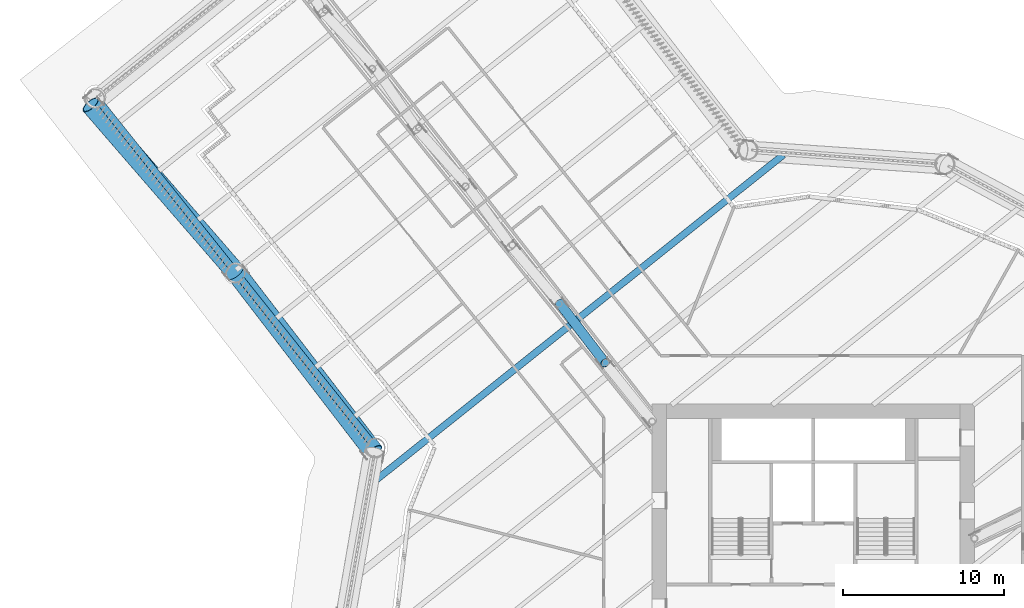
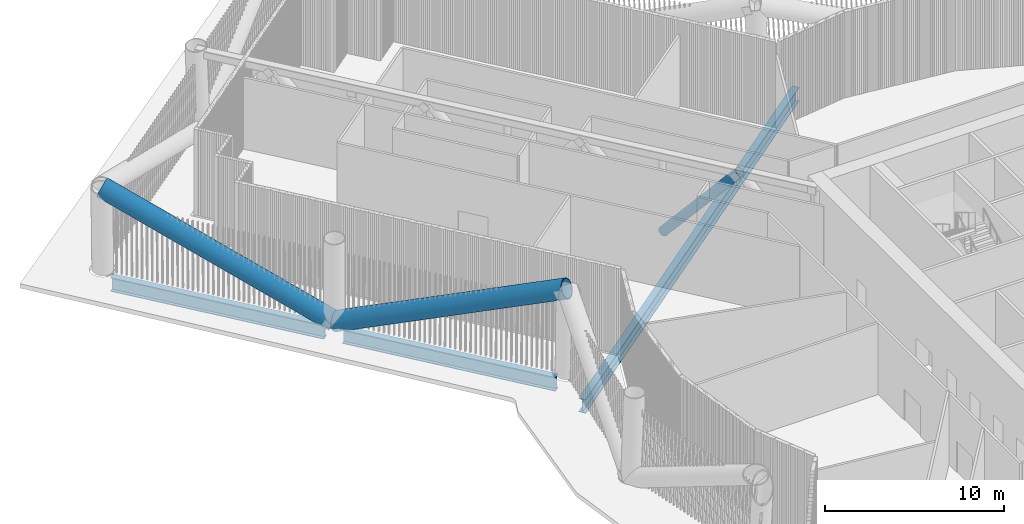
# One storey, part 9 of 48: 3 beams, 3 members.
"""IFC4 building model written with IfcOpenShell, lengths in metres."""

from ifc_helpers import new_model, si_unit, direction, frame, origin, origin_2d, place, context, subcontext, project, spatial, hollow_circle, i_section, extrude, material, material_profile, profile_set, type_object, element, save


model = new_model("IFC4")

# Units and contexts
model_context = context("Model", 3, precision=1e-05, world=origin(), true_north=direction((0.0, 1.0)))
body_context = subcontext(model_context, "Body", "Model", "MODEL_VIEW")
ifc_project = project(units=[si_unit("LENGTHUNIT", "METRE"), si_unit("AREAUNIT", "SQUARE_METRE"), si_unit("VOLUMEUNIT", "CUBIC_METRE"), si_unit("PLANEANGLEUNIT", "RADIAN"), si_unit("MASSUNIT", "GRAM", prefix="KILO")], contexts=[model_context])

# Site, building, storey
site_placement = place(None, origin())
site = spatial("IfcSite", under=ifc_project, at=site_placement, CompositionType="ELEMENT")
building_placement = place(site_placement, origin())
building = spatial("IfcBuilding", under=site, at=building_placement, Name="Tarsis Ring Headquarters", CompositionType="ELEMENT")
storey_placement = place(building_placement, frame((0.0, 0.0, 34.0)))
storey = spatial("IfcBuildingStorey", under=building, at=storey_placement, Name="L06", CompositionType="ELEMENT", Elevation=34.0)

# Beam
ifc_material_1 = material(Name="Structural steel S355", Category="steel")
ifc_material_profile_1 = material_profile(ifc_material_1, i_section(OverallWidth=0.42431640625, OverallDepth=0.947509765625, WebThickness=0.02392578125, FlangeThickness=0.042724609375, at=origin_2d()), Name="W36x302")
ifc_profile_set_1 = profile_set([ifc_material_profile_1], Name="Structural steel S355")
beam_type_1 = type_object("IfcBeamType", Name="FB Floor beam W36x302", PredefinedType="JOIST", material=ifc_profile_set_1)
beam_placement = place(storey_placement, frame((-1.8515625, 28.463623046875, -0.773681640625), z_axis=(-0.781519479941, -0.623880839963, 0.0), x_axis=(0.623880839963, -0.781519479941, 0.0)))
element("IfcBeam", 1, at=beam_placement, inside=storey, type_object=beam_type_1, Name="Floor beam FB12", PredefinedType="JOIST", context=body_context, shape_type="SweptSolid", body=[
    extrude(i_section(OverallWidth=0.42431640625, OverallDepth=0.947509765625, WebThickness=0.02392578125, FlangeThickness=0.042724609375, at=origin_2d()), origin(), (0.0, 0.0, 1.0), 32.70458984375),
])

# Members
ifc_material_profile_2 = material_profile(ifc_material_1, hollow_circle(Radius=0.3046875, WallThickness=0.02490234375, at=origin_2d()), Name="CHS 610x25")
ifc_profile_set_2 = profile_set([ifc_material_profile_2], Name="Structural steel S355")
member_type_1 = type_object("IfcMemberType", Name="OD Outrigger diagonal CHS 610x25", PredefinedType="BRACE", material=ifc_profile_set_2)
member_1_placement = place(storey_placement, frame((-12.917724609375, 15.543701171875, 5.5859375), z_axis=(-0.398601039776, 0.523364303199, -0.753131474064), x_axis=(-0.795543611143, -0.605896330052, 0.0)))
element("IfcMember", 2, at=member_1_placement, inside=storey, type_object=member_type_1, Name="Outrigger diagonal OD1", PredefinedType="BRACE", context=body_context, shape_type="SweptSolid", body=[
    extrude(hollow_circle(Radius=0.3046875, WallThickness=0.02490234375, at=origin_2d()), origin(), (0.0, 0.0, 1.0), 7.079833984375),
])
ifc_material_2 = material(Name="Structural steel S460", Category="steel")
ifc_material_profile_3 = material_profile(ifc_material_2, hollow_circle(Radius=0.609619140625, WallThickness=0.050048828125, at=origin_2d()), Name="CHS 1219x50")
ifc_profile_set_3 = profile_set([ifc_material_profile_3], Name="Structural steel S460")
member_type_2 = type_object("IfcMemberType", Name="TD Belt truss diagonal CHS 1219x50", PredefinedType="BRACE", material=ifc_profile_set_3)
member_2_placement = place(storey_placement, frame((-35.833984375, 21.166015625, 0.0), z_axis=(-0.60014139214, 0.692806216472, 0.399812275772), x_axis=(-0.755846006422, -0.654749428848, 0.0)))
element("IfcMember", 3, at=member_2_placement, inside=storey, type_object=member_type_2, Name="Belt truss diagonal TD1", PredefinedType="BRACE", context=body_context, shape_type="SweptSolid", body=[
    extrude(hollow_circle(Radius=0.609619140625, WallThickness=0.050048828125, at=origin_2d()), origin(), (0.0, 0.0, 1.0), 15.007080078125),
])
member_3_placement = place(storey_placement, frame((-35.833984375, 21.166015625, 0.0), z_axis=(0.560380365817, -0.729340875088, 0.392473863503), x_axis=(0.792965959654, 0.609265940973, 0.0)))
element("IfcMember", 4, at=member_3_placement, inside=storey, type_object=member_type_2, Name="Belt truss diagonal TD1", PredefinedType="BRACE", context=body_context, shape_type="SweptSolid", body=[
    extrude(hollow_circle(Radius=0.609619140625, WallThickness=0.050048828125, at=origin_2d()), origin(), (0.0, 0.0, 1.0), 15.28759765625),
])

# Beams
beam_type_2 = type_object("IfcBeamType", Name="XG Ring girder W36x302", PredefinedType="BEAM", material=ifc_profile_set_1)
for number, where, z_axis, x_axis, name in (
    (5, (-44.1650390625, 31.60205078125, -0.773681640625), (0.623880911374, -0.781519422934, 0.0), (0.781519422934, 0.623880911374, 0.0), "Ring girder XG1"),
    (6, (-35.49169921875, 20.7373046875, -0.773681640625), (0.623880911374, -0.781519422934, 0.0), (0.781519422934, 0.623880911374, 0.0), "Ring girder XG1"),
):
    element("IfcBeam", number, at=place(storey_placement, frame(where, z_axis=z_axis, x_axis=x_axis)), inside=storey, type_object=beam_type_2, Name=name, PredefinedType="BEAM", context=body_context, shape_type="SweptSolid", body=[
        extrude(i_section(OverallWidth=0.42431640625, OverallDepth=0.947509765625, WebThickness=0.02392578125, FlangeThickness=0.042724609375, at=origin_2d()), origin(), (0.0, 0.0, 1.0), 12.804931640625),
    ])

save(model, "model.ifc")
